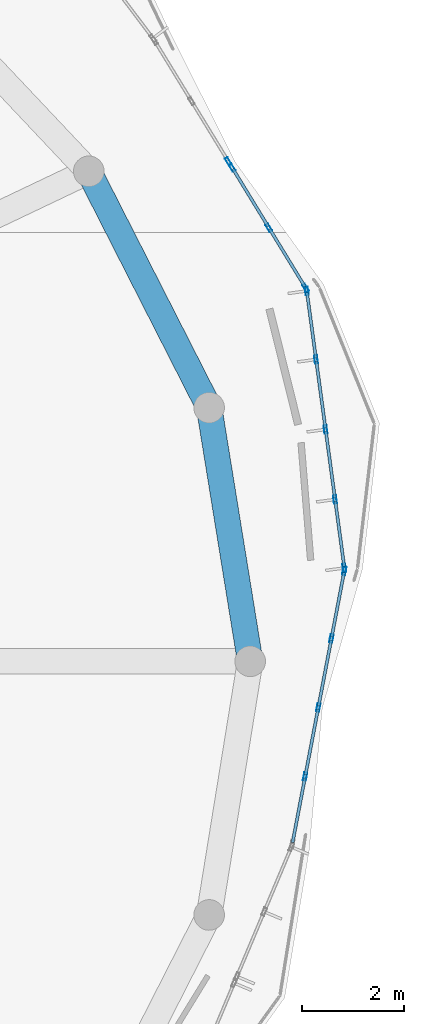
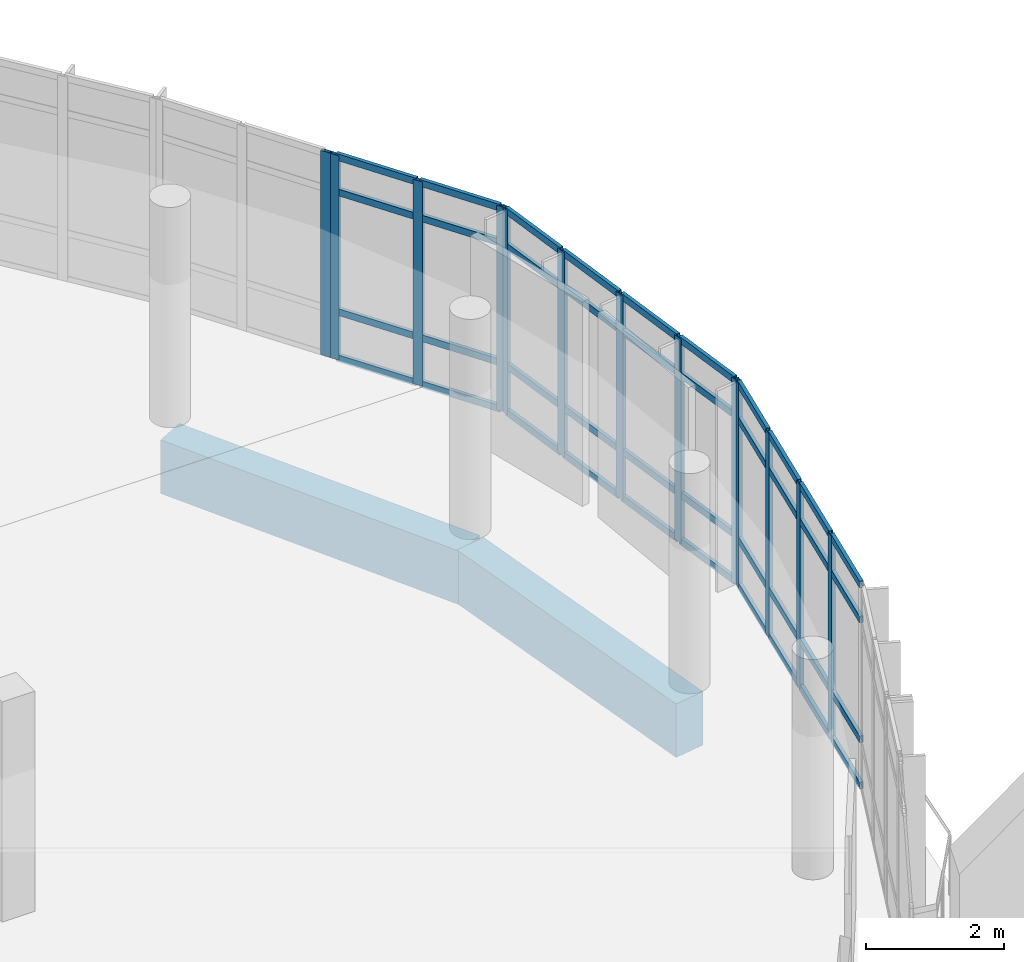
# One storey, part 42 of 74: 53 members, 2 beams, 4 elements without a shape of their own.
"""IFC4 building model written with IfcOpenShell, lengths in metres."""

from ifc_helpers import new_model, si_unit, derived_unit, direction, frame, origin, origin_2d, place, context, subcontext, project, spatial, rectangle, hollow_rectangle, extrude, material, layer, layer_set, material_profile, profile_set, type_object, element, aggregate, save


model = new_model("IFC4")

# Units and contexts
model_context = context("Model", 3, precision=1e-05, world=origin(), true_north=direction((0.0, 1.0)))
body_context = subcontext(model_context, "Body", "Model", "MODEL_VIEW")
ifc_project = project(units=[si_unit("LENGTHUNIT", "METRE"), si_unit("AREAUNIT", "SQUARE_METRE"), si_unit("VOLUMEUNIT", "CUBIC_METRE"), si_unit("PLANEANGLEUNIT", "RADIAN"), si_unit("MASSUNIT", "GRAM", prefix="KILO"), derived_unit("THERMALTRANSMITTANCEUNIT", [(si_unit("POWERUNIT", "WATT"), 1), (si_unit("LENGTHUNIT", "METRE"), -2), (si_unit("THERMODYNAMICTEMPERATUREUNIT", "KELVIN"), -1)])], contexts=[model_context])

# Site, building, storey
site_placement = place(None, origin())
site = spatial("IfcSite", under=ifc_project, at=site_placement, CompositionType="ELEMENT")
building_placement = place(site_placement, origin())
building = spatial("IfcBuilding", under=site, at=building_placement, Name="Elbkamm Science Centre", CompositionType="ELEMENT")
storey_placement = place(building_placement, frame((0.0, 0.0, 14.39990234375)))
storey = spatial("IfcBuildingStorey", under=building, at=storey_placement, Name="L03", CompositionType="ELEMENT", Elevation=14.39990234375)

# Beams
ifc_material_1 = material(Name="Concrete C40/50", Category="concrete")
ifc_material_profile_1 = material_profile(ifc_material_1, rectangle(XDim=0.5, YDim=0.949951171875, at=origin_2d()), Name="RC 500x950")
ifc_profile_set_1 = profile_set([ifc_material_profile_1], Name="Concrete C40/50")
beam_type = type_object("IfcBeamType", Name="BM-RC-500x950", PredefinedType="BEAM", material=ifc_profile_set_1)
beam_1_placement = place(storey_placement, frame((86.60009765625, 67.199951171875, -0.7548828125), z_axis=(-0.15976460627, 0.987155140078, 0.0), x_axis=(-0.987155140078, -0.15976460627, 0.0)))
element("IfcBeam", 1, at=beam_1_placement, inside=storey, type_object=beam_type, Name="L03 Elliptical Shell Perimeter Ring Beam 01", PredefinedType="SPANDREL", context=body_context, shape_type="SweptSolid", body=[
    extrude(rectangle(XDim=0.5, YDim=0.949951171875, at=origin_2d()), origin(), (0.0, 0.0, 1.0), 5.03369140625),
])
beam_2_placement = place(storey_placement, frame((85.7958984375, 72.1689453125, -0.7548828125), z_axis=(-0.453722384609, 0.891143084866, 0.0), x_axis=(-0.891143084866, -0.453722384609, 0.0)))
element("IfcBeam", 2, at=beam_2_placement, inside=storey, type_object=beam_type, Name="L03 Elliptical Shell Perimeter Ring Beam 02", PredefinedType="SPANDREL", context=body_context, shape_type="SweptSolid", body=[
    extrude(rectangle(XDim=0.5, YDim=0.949951171875, at=origin_2d()), origin(), (0.0, 0.0, 1.0), 5.19677734375),
])

# Curtain wall, members
ifc_material_2 = material(Name="Powder-coated aluminium and triple low-E glazing", Category="aluminium")
ifc_layer_1 = layer(ifc_material_2, 0.159912109375)
ifc_layer_set_1 = layer_set([ifc_layer_1], Name="Powder-coated aluminium and triple low-E glazing")
curtain_wall_type_1 = type_object("IfcCurtainWallType", Name="CW-UNIT-5540x3620", PredefinedType="USERDEFINED", material=ifc_layer_set_1)
curtain_wall_1_placement = place(storey_placement, origin())
curtain_wall_1 = element("IfcCurtainWall", 3, at=curtain_wall_1_placement, inside=storey, type_object=curtain_wall_type_1, Name="L03 Unitised Curtain Wall 046", ObjectType="UNITISED CURTAIN WALL", PredefinedType="USERDEFINED")
ifc_material_3 = material(Name="Powder-coated aluminium EN AW-6060", Category="aluminium")
ifc_material_profile_2 = material_profile(ifc_material_3, hollow_rectangle(XDim=0.06005859375, YDim=0.159912109375, WallThickness=0.00390625, at=origin_2d()), Name="ALU M60x160")
ifc_profile_set_2 = profile_set([ifc_material_profile_2], Name="Powder-coated aluminium EN AW-6060")
member_type_1 = type_object("IfcMemberType", Name="CW-MUL-60x160", PredefinedType="MULLION", material=ifc_profile_set_2)
member_1_placement = place(storey_placement, frame((88.446044921875, 69.02978515625, 0.0), z_axis=(0.0, 0.0, 1.0), x_axis=(-0.990903330294, -0.134575592183, 0.0)))
member_1 = element("IfcMember", 4, at=member_1_placement, type_object=member_type_1, Name="CW-020 mullion 1", PredefinedType="MULLION", context=body_context, shape_type="SweptSolid", body=[
    extrude(hollow_rectangle(XDim=0.06005859375, YDim=0.159912109375, WallThickness=0.00390625, at=origin_2d()), origin(), (0.0, 0.0, 1.0), 3.6201171875),
])
member_2_placement = place(storey_placement, frame((88.263671875, 70.37158203125, 0.0), z_axis=(0.0, 0.0, 1.0), x_axis=(-0.990903330294, -0.134575592183, 0.0)))
member_2 = element("IfcMember", 5, at=member_2_placement, type_object=member_type_1, Name="CW-020 mullion 2", PredefinedType="MULLION", context=body_context, shape_type="SweptSolid", body=[
    extrude(hollow_rectangle(XDim=0.06005859375, YDim=0.159912109375, WallThickness=0.00390625, at=origin_2d()), origin(), (0.0, 0.0, 1.0), 3.6201171875),
])
member_3_placement = place(storey_placement, frame((88.077392578125, 71.7431640625, 0.0), z_axis=(0.0, 0.0, 1.0), x_axis=(-0.990903330294, -0.134575592183, 0.0)))
member_3 = element("IfcMember", 6, at=member_3_placement, type_object=member_type_1, Name="CW-020 mullion 3", PredefinedType="MULLION", context=body_context, shape_type="SweptSolid", body=[
    extrude(hollow_rectangle(XDim=0.06005859375, YDim=0.159912109375, WallThickness=0.00390625, at=origin_2d()), origin(), (0.0, 0.0, 1.0), 3.6201171875),
])
member_4_placement = place(storey_placement, frame((87.89111328125, 73.11474609375, 0.0), z_axis=(0.0, 0.0, 1.0), x_axis=(-0.990903330294, -0.134575592183, 0.0)))
member_4 = element("IfcMember", 7, at=member_4_placement, type_object=member_type_1, Name="CW-020 mullion 4", PredefinedType="MULLION", context=body_context, shape_type="SweptSolid", body=[
    extrude(hollow_rectangle(XDim=0.06005859375, YDim=0.159912109375, WallThickness=0.00390625, at=origin_2d()), origin(), (0.0, 0.0, 1.0), 3.6201171875),
])
member_5_placement = place(storey_placement, frame((87.708984375, 74.45654296875, 0.0), z_axis=(0.0, 0.0, 1.0), x_axis=(-0.990903330294, -0.134575592183, 0.0)))
member_5 = element("IfcMember", 8, at=member_5_placement, type_object=member_type_1, Name="CW-020 mullion 5", PredefinedType="MULLION", context=body_context, shape_type="SweptSolid", body=[
    extrude(hollow_rectangle(XDim=0.06005859375, YDim=0.159912109375, WallThickness=0.00390625, at=origin_2d()), origin(), (0.0, 0.0, 1.0), 3.6201171875),
])

ifc_layer_2 = layer(ifc_material_2, 0.159912109375)
ifc_layer_set_2 = layer_set([ifc_layer_2], Name="Powder-coated aluminium and triple low-E glazing")
curtain_wall_type_2 = type_object("IfcCurtainWallType", Name="CW-UNIT-2820x3620", PredefinedType="USERDEFINED", material=ifc_layer_set_2)
curtain_wall_2_placement = place(storey_placement, origin())
curtain_wall_2 = element("IfcCurtainWall", 9, at=curtain_wall_2_placement, inside=storey, type_object=curtain_wall_type_2, Name="L03 Unitised Curtain Wall 047", ObjectType="UNITISED CURTAIN WALL", PredefinedType="USERDEFINED")
member_6_placement = place(storey_placement, frame((87.689208984375, 74.511962890625, 0.0), z_axis=(0.0, 0.0, 1.0), x_axis=(-0.853316783225, -0.521392814935, 0.0)))
member_6 = element("IfcMember", 10, at=member_6_placement, type_object=member_type_1, Name="CW-021 mullion 1", PredefinedType="MULLION", context=body_context, shape_type="SweptSolid", body=[
    extrude(hollow_rectangle(XDim=0.06005859375, YDim=0.159912109375, WallThickness=0.00390625, at=origin_2d()), origin(), (0.0, 0.0, 1.0), 3.6201171875),
])
member_7_placement = place(storey_placement, frame((86.96728515625, 75.693359375, 0.0), z_axis=(0.0, 0.0, 1.0), x_axis=(-0.853316783225, -0.521392814935, 0.0)))
member_7 = element("IfcMember", 11, at=member_7_placement, type_object=member_type_1, Name="CW-021 mullion 2", PredefinedType="MULLION", context=body_context, shape_type="SweptSolid", body=[
    extrude(hollow_rectangle(XDim=0.06005859375, YDim=0.159912109375, WallThickness=0.00390625, at=origin_2d()), origin(), (0.0, 0.0, 1.0), 3.6201171875),
])
member_8_placement = place(storey_placement, frame((86.24560546875, 76.874755859375, 0.0), z_axis=(0.0, 0.0, 1.0), x_axis=(-0.853316783225, -0.521392814935, 0.0)))
member_8 = element("IfcMember", 12, at=member_8_placement, type_object=member_type_1, Name="CW-021 mullion 3", PredefinedType="MULLION", context=body_context, shape_type="SweptSolid", body=[
    extrude(hollow_rectangle(XDim=0.06005859375, YDim=0.159912109375, WallThickness=0.00390625, at=origin_2d()), origin(), (0.0, 0.0, 1.0), 3.6201171875),
])

# Curtain wall, member
curtain_wall_3_placement = place(storey_placement, origin())
curtain_wall_3 = element("IfcCurtainWall", 13, at=curtain_wall_3_placement, inside=storey, type_object=curtain_wall_type_2, Name="L03 Unitised Curtain Wall 048", ObjectType="UNITISED CURTAIN WALL", PredefinedType="USERDEFINED")
member_9_placement = place(storey_placement, frame((86.17236328125, 76.994140625, 0.0), z_axis=(0.0, 0.0, 1.0), x_axis=(-0.853316783225, -0.521392814935, 0.0)))
member_9 = element("IfcMember", 14, at=member_9_placement, type_object=member_type_1, Name="CW-021 mullion 1", PredefinedType="MULLION", context=body_context, shape_type="SweptSolid", body=[
    extrude(hollow_rectangle(XDim=0.06005859375, YDim=0.159912109375, WallThickness=0.00390625, at=origin_2d()), origin(), (0.0, 0.0, 1.0), 3.6201171875),
])
aggregate(curtain_wall_3, [member_9])

# Curtain wall, members
ifc_layer_3 = layer(ifc_material_2, 0.159912109375)
ifc_layer_set_3 = layer_set([ifc_layer_3], Name="Powder-coated aluminium and triple low-E glazing")
curtain_wall_type_3 = type_object("IfcCurtainWallType", Name="CW-UNIT-5500x3620", PredefinedType="USERDEFINED", material=ifc_layer_set_3)
curtain_wall_4_placement = place(storey_placement, origin())
curtain_wall_4 = element("IfcCurtainWall", 15, at=curtain_wall_4_placement, inside=storey, type_object=curtain_wall_type_3, Name="L03 Unitised Curtain Wall 074", ObjectType="UNITISED CURTAIN WALL", PredefinedType="USERDEFINED")
member_10_placement = place(storey_placement, frame((87.677490234375, 64.9423828125, 0.0), z_axis=(0.0, 0.0, 1.0), x_axis=(-0.982351119893, 0.187046190138, 0.0)))
member_10 = element("IfcMember", 16, at=member_10_placement, type_object=member_type_1, Name="CW-031 mullion 2", PredefinedType="MULLION", context=body_context, shape_type="SweptSolid", body=[
    extrude(hollow_rectangle(XDim=0.06005859375, YDim=0.159912109375, WallThickness=0.00390625, at=origin_2d()), origin(), (0.0, 0.0, 1.0), 3.6201171875),
])
member_11_placement = place(storey_placement, frame((87.93505859375, 66.294921875, 0.0), z_axis=(0.0, 0.0, 1.0), x_axis=(-0.982351119893, 0.187046190138, 0.0)))
member_11 = element("IfcMember", 17, at=member_11_placement, type_object=member_type_1, Name="CW-031 mullion 3", PredefinedType="MULLION", context=body_context, shape_type="SweptSolid", body=[
    extrude(hollow_rectangle(XDim=0.06005859375, YDim=0.159912109375, WallThickness=0.00390625, at=origin_2d()), origin(), (0.0, 0.0, 1.0), 3.6201171875),
])
member_12_placement = place(storey_placement, frame((88.1923828125, 67.6474609375, 0.0), z_axis=(0.0, 0.0, 1.0), x_axis=(-0.982351119893, 0.187046190138, 0.0)))
member_12 = element("IfcMember", 18, at=member_12_placement, type_object=member_type_1, Name="CW-031 mullion 4", PredefinedType="MULLION", context=body_context, shape_type="SweptSolid", body=[
    extrude(hollow_rectangle(XDim=0.06005859375, YDim=0.159912109375, WallThickness=0.00390625, at=origin_2d()), origin(), (0.0, 0.0, 1.0), 3.6201171875),
])
member_13_placement = place(storey_placement, frame((88.4443359375, 68.970458984375, 0.0), z_axis=(0.0, 0.0, 1.0), x_axis=(-0.982351119893, 0.187046190138, 0.0)))
member_13 = element("IfcMember", 19, at=member_13_placement, type_object=member_type_1, Name="CW-031 mullion 5", PredefinedType="MULLION", context=body_context, shape_type="SweptSolid", body=[
    extrude(hollow_rectangle(XDim=0.06005859375, YDim=0.159912109375, WallThickness=0.00390625, at=origin_2d()), origin(), (0.0, 0.0, 1.0), 3.6201171875),
])

# Member
ifc_material_profile_3 = material_profile(ifc_material_3, hollow_rectangle(XDim=0.06005859375, YDim=0.1201171875, WallThickness=0.00341796875, at=origin_2d()), Name="ALU T60x120")
ifc_profile_set_3 = profile_set([ifc_material_profile_3], Name="Powder-coated aluminium EN AW-6060")
member_type_2 = type_object("IfcMemberType", Name="CW-TRN-60x120", PredefinedType="USERDEFINED", material=ifc_profile_set_3)
member_14_placement = place(storey_placement, frame((88.44189453125, 69.0595703125, 0.030029296875), z_axis=(-0.134523817036, 0.990910360552, 0.0), x_axis=(-0.990910360552, -0.134523817036, 0.0)))
member_14 = element("IfcMember", 20, at=member_14_placement, type_object=member_type_2, Name="CW-020 transom 1.1", ObjectType="TRANSOM", PredefinedType="USERDEFINED", context=body_context, shape_type="SweptSolid", body=[
    extrude(hollow_rectangle(XDim=0.06005859375, YDim=0.1201171875, WallThickness=0.00341796875, at=origin_2d()), origin(), (0.0, 0.0, 1.0), 1.2939453125),
])

member_15_placement = place(storey_placement, frame((88.44189453125, 69.0595703125, 0.85009765625), z_axis=(-0.134523817036, 0.990910360552, 0.0), x_axis=(-0.990910360552, -0.134523817036, 0.0)))
member_15 = element("IfcMember", 21, at=member_15_placement, type_object=member_type_2, Name="CW-020 transom 1.2", ObjectType="TRANSOM", PredefinedType="USERDEFINED", context=body_context, shape_type="SweptSolid", body=[
    extrude(hollow_rectangle(XDim=0.06005859375, YDim=0.1201171875, WallThickness=0.00341796875, at=origin_2d()), origin(), (0.0, 0.0, 1.0), 1.2939453125),
])

member_16_placement = place(storey_placement, frame((88.44189453125, 69.0595703125, 2.97021484375), z_axis=(-0.134523817036, 0.990910360552, 0.0), x_axis=(-0.990910360552, -0.134523817036, 0.0)))
member_16 = element("IfcMember", 22, at=member_16_placement, type_object=member_type_2, Name="CW-020 transom 1.3", ObjectType="TRANSOM", PredefinedType="USERDEFINED", context=body_context, shape_type="SweptSolid", body=[
    extrude(hollow_rectangle(XDim=0.06005859375, YDim=0.1201171875, WallThickness=0.00341796875, at=origin_2d()), origin(), (0.0, 0.0, 1.0), 1.2939453125),
])

member_17_placement = place(storey_placement, frame((88.44189453125, 69.0595703125, 3.590087890625), z_axis=(-0.134523817036, 0.990910360552, 0.0), x_axis=(-0.990910360552, -0.134523817036, 0.0)))
member_17 = element("IfcMember", 23, at=member_17_placement, type_object=member_type_2, Name="CW-020 transom 1.4", ObjectType="TRANSOM", PredefinedType="USERDEFINED", context=body_context, shape_type="SweptSolid", body=[
    extrude(hollow_rectangle(XDim=0.06005859375, YDim=0.1201171875, WallThickness=0.00341796875, at=origin_2d()), origin(), (0.0, 0.0, 1.0), 1.2939453125),
])

member_18_placement = place(storey_placement, frame((88.259765625, 70.4013671875, 0.030029296875), z_axis=(-0.134603035001, 0.99089960287, 0.0), x_axis=(-0.99089960287, -0.134603035001, 0.0)))
member_18 = element("IfcMember", 24, at=member_18_placement, type_object=member_type_2, Name="CW-020 transom 2.1", ObjectType="TRANSOM", PredefinedType="USERDEFINED", context=body_context, shape_type="SweptSolid", body=[
    extrude(hollow_rectangle(XDim=0.06005859375, YDim=0.1201171875, WallThickness=0.00341796875, at=origin_2d()), origin(), (0.0, 0.0, 1.0), 1.323974609375),
])

member_19_placement = place(storey_placement, frame((88.259765625, 70.4013671875, 0.85009765625), z_axis=(-0.134603035001, 0.99089960287, 0.0), x_axis=(-0.99089960287, -0.134603035001, 0.0)))
member_19 = element("IfcMember", 25, at=member_19_placement, type_object=member_type_2, Name="CW-020 transom 2.2", ObjectType="TRANSOM", PredefinedType="USERDEFINED", context=body_context, shape_type="SweptSolid", body=[
    extrude(hollow_rectangle(XDim=0.06005859375, YDim=0.1201171875, WallThickness=0.00341796875, at=origin_2d()), origin(), (0.0, 0.0, 1.0), 1.323974609375),
])

member_20_placement = place(storey_placement, frame((88.259765625, 70.4013671875, 2.97021484375), z_axis=(-0.134603035001, 0.99089960287, 0.0), x_axis=(-0.99089960287, -0.134603035001, 0.0)))
member_20 = element("IfcMember", 26, at=member_20_placement, type_object=member_type_2, Name="CW-020 transom 2.3", ObjectType="TRANSOM", PredefinedType="USERDEFINED", context=body_context, shape_type="SweptSolid", body=[
    extrude(hollow_rectangle(XDim=0.06005859375, YDim=0.1201171875, WallThickness=0.00341796875, at=origin_2d()), origin(), (0.0, 0.0, 1.0), 1.323974609375),
])

member_21_placement = place(storey_placement, frame((88.259765625, 70.4013671875, 3.590087890625), z_axis=(-0.134603035001, 0.99089960287, 0.0), x_axis=(-0.99089960287, -0.134603035001, 0.0)))
member_21 = element("IfcMember", 27, at=member_21_placement, type_object=member_type_2, Name="CW-020 transom 2.4", ObjectType="TRANSOM", PredefinedType="USERDEFINED", context=body_context, shape_type="SweptSolid", body=[
    extrude(hollow_rectangle(XDim=0.06005859375, YDim=0.1201171875, WallThickness=0.00341796875, at=origin_2d()), origin(), (0.0, 0.0, 1.0), 1.323974609375),
])

member_22_placement = place(storey_placement, frame((88.073486328125, 71.77294921875, 0.030029296875), z_axis=(-0.134603035001, 0.99089960287, 0.0), x_axis=(-0.99089960287, -0.134603035001, 0.0)))
member_22 = element("IfcMember", 28, at=member_22_placement, type_object=member_type_2, Name="CW-020 transom 3.1", ObjectType="TRANSOM", PredefinedType="USERDEFINED", context=body_context, shape_type="SweptSolid", body=[
    extrude(hollow_rectangle(XDim=0.06005859375, YDim=0.1201171875, WallThickness=0.00341796875, at=origin_2d()), origin(), (0.0, 0.0, 1.0), 1.323974609375),
])

member_23_placement = place(storey_placement, frame((88.073486328125, 71.77294921875, 0.85009765625), z_axis=(-0.134603035001, 0.99089960287, 0.0), x_axis=(-0.99089960287, -0.134603035001, 0.0)))
member_23 = element("IfcMember", 29, at=member_23_placement, type_object=member_type_2, Name="CW-020 transom 3.2", ObjectType="TRANSOM", PredefinedType="USERDEFINED", context=body_context, shape_type="SweptSolid", body=[
    extrude(hollow_rectangle(XDim=0.06005859375, YDim=0.1201171875, WallThickness=0.00341796875, at=origin_2d()), origin(), (0.0, 0.0, 1.0), 1.323974609375),
])

member_24_placement = place(storey_placement, frame((88.073486328125, 71.77294921875, 2.97021484375), z_axis=(-0.134603035001, 0.99089960287, 0.0), x_axis=(-0.99089960287, -0.134603035001, 0.0)))
member_24 = element("IfcMember", 30, at=member_24_placement, type_object=member_type_2, Name="CW-020 transom 3.3", ObjectType="TRANSOM", PredefinedType="USERDEFINED", context=body_context, shape_type="SweptSolid", body=[
    extrude(hollow_rectangle(XDim=0.06005859375, YDim=0.1201171875, WallThickness=0.00341796875, at=origin_2d()), origin(), (0.0, 0.0, 1.0), 1.323974609375),
])

member_25_placement = place(storey_placement, frame((88.073486328125, 71.77294921875, 3.590087890625), z_axis=(-0.134603035001, 0.99089960287, 0.0), x_axis=(-0.99089960287, -0.134603035001, 0.0)))
member_25 = element("IfcMember", 31, at=member_25_placement, type_object=member_type_2, Name="CW-020 transom 3.4", ObjectType="TRANSOM", PredefinedType="USERDEFINED", context=body_context, shape_type="SweptSolid", body=[
    extrude(hollow_rectangle(XDim=0.06005859375, YDim=0.1201171875, WallThickness=0.00341796875, at=origin_2d()), origin(), (0.0, 0.0, 1.0), 1.323974609375),
])

member_26_placement = place(storey_placement, frame((87.88720703125, 73.14453125, 0.030029296875), z_axis=(-0.134709068585, 0.990885193572, 0.0), x_axis=(-0.990885193572, -0.134709068585, 0.0)))
member_26 = element("IfcMember", 32, at=member_26_placement, type_object=member_type_2, Name="CW-020 transom 4.1", ObjectType="TRANSOM", PredefinedType="USERDEFINED", context=body_context, shape_type="SweptSolid", body=[
    extrude(hollow_rectangle(XDim=0.06005859375, YDim=0.1201171875, WallThickness=0.00341796875, at=origin_2d()), origin(), (0.0, 0.0, 1.0), 1.2939453125),
])

member_27_placement = place(storey_placement, frame((87.88720703125, 73.14453125, 0.85009765625), z_axis=(-0.134709068585, 0.990885193572, 0.0), x_axis=(-0.990885193572, -0.134709068585, 0.0)))
member_27 = element("IfcMember", 33, at=member_27_placement, type_object=member_type_2, Name="CW-020 transom 4.2", ObjectType="TRANSOM", PredefinedType="USERDEFINED", context=body_context, shape_type="SweptSolid", body=[
    extrude(hollow_rectangle(XDim=0.06005859375, YDim=0.1201171875, WallThickness=0.00341796875, at=origin_2d()), origin(), (0.0, 0.0, 1.0), 1.2939453125),
])

member_28_placement = place(storey_placement, frame((87.88720703125, 73.14453125, 2.97021484375), z_axis=(-0.134709068585, 0.990885193572, 0.0), x_axis=(-0.990885193572, -0.134709068585, 0.0)))
member_28 = element("IfcMember", 34, at=member_28_placement, type_object=member_type_2, Name="CW-020 transom 4.3", ObjectType="TRANSOM", PredefinedType="USERDEFINED", context=body_context, shape_type="SweptSolid", body=[
    extrude(hollow_rectangle(XDim=0.06005859375, YDim=0.1201171875, WallThickness=0.00341796875, at=origin_2d()), origin(), (0.0, 0.0, 1.0), 1.2939453125),
])

member_29_placement = place(storey_placement, frame((87.88720703125, 73.14453125, 3.590087890625), z_axis=(-0.134709068585, 0.990885193572, 0.0), x_axis=(-0.990885193572, -0.134709068585, 0.0)))
member_29 = element("IfcMember", 35, at=member_29_placement, type_object=member_type_2, Name="CW-020 transom 4.4", ObjectType="TRANSOM", PredefinedType="USERDEFINED", context=body_context, shape_type="SweptSolid", body=[
    extrude(hollow_rectangle(XDim=0.06005859375, YDim=0.1201171875, WallThickness=0.00341796875, at=origin_2d()), origin(), (0.0, 0.0, 1.0), 1.2939453125),
])

aggregate(curtain_wall_1, [member_1, member_2, member_3, member_4, member_5, member_14, member_15, member_16, member_17, member_18, member_19, member_20, member_21, member_22, member_23, member_24, member_25, member_26, member_27, member_28, member_29])

member_30_placement = place(storey_placement, frame((87.673583984375, 74.53759765625, 0.030029296875), z_axis=(-0.521338152947, 0.853350180337, 0.0), x_axis=(-0.853350180337, -0.521338152947, 0.0)))
member_30 = element("IfcMember", 36, at=member_30_placement, type_object=member_type_2, Name="CW-021 transom 1.1", ObjectType="TRANSOM", PredefinedType="USERDEFINED", context=body_context, shape_type="SweptSolid", body=[
    extrude(hollow_rectangle(XDim=0.06005859375, YDim=0.1201171875, WallThickness=0.00341796875, at=origin_2d()), origin(), (0.0, 0.0, 1.0), 1.324462890625),
])

member_31_placement = place(storey_placement, frame((87.673583984375, 74.53759765625, 0.85009765625), z_axis=(-0.521338152947, 0.853350180337, 0.0), x_axis=(-0.853350180337, -0.521338152947, 0.0)))
member_31 = element("IfcMember", 37, at=member_31_placement, type_object=member_type_2, Name="CW-021 transom 1.2", ObjectType="TRANSOM", PredefinedType="USERDEFINED", context=body_context, shape_type="SweptSolid", body=[
    extrude(hollow_rectangle(XDim=0.06005859375, YDim=0.1201171875, WallThickness=0.00341796875, at=origin_2d()), origin(), (0.0, 0.0, 1.0), 1.324462890625),
])

member_32_placement = place(storey_placement, frame((87.673583984375, 74.53759765625, 2.97021484375), z_axis=(-0.521338152947, 0.853350180337, 0.0), x_axis=(-0.853350180337, -0.521338152947, 0.0)))
member_32 = element("IfcMember", 38, at=member_32_placement, type_object=member_type_2, Name="CW-021 transom 1.3", ObjectType="TRANSOM", PredefinedType="USERDEFINED", context=body_context, shape_type="SweptSolid", body=[
    extrude(hollow_rectangle(XDim=0.06005859375, YDim=0.1201171875, WallThickness=0.00341796875, at=origin_2d()), origin(), (0.0, 0.0, 1.0), 1.324462890625),
])

member_33_placement = place(storey_placement, frame((87.673583984375, 74.53759765625, 3.590087890625), z_axis=(-0.521338152947, 0.853350180337, 0.0), x_axis=(-0.853350180337, -0.521338152947, 0.0)))
member_33 = element("IfcMember", 39, at=member_33_placement, type_object=member_type_2, Name="CW-021 transom 1.4", ObjectType="TRANSOM", PredefinedType="USERDEFINED", context=body_context, shape_type="SweptSolid", body=[
    extrude(hollow_rectangle(XDim=0.06005859375, YDim=0.1201171875, WallThickness=0.00341796875, at=origin_2d()), origin(), (0.0, 0.0, 1.0), 1.324462890625),
])

member_34_placement = place(storey_placement, frame((86.95166015625, 75.718994140625, 0.030029296875), z_axis=(-0.521338152947, 0.853350180337, 0.0), x_axis=(-0.853350180337, -0.521338152947, 0.0)))
member_34 = element("IfcMember", 40, at=member_34_placement, type_object=member_type_2, Name="CW-021 transom 2.1", ObjectType="TRANSOM", PredefinedType="USERDEFINED", context=body_context, shape_type="SweptSolid", body=[
    extrude(hollow_rectangle(XDim=0.06005859375, YDim=0.1201171875, WallThickness=0.00341796875, at=origin_2d()), origin(), (0.0, 0.0, 1.0), 1.324462890625),
])

member_35_placement = place(storey_placement, frame((86.95166015625, 75.718994140625, 0.85009765625), z_axis=(-0.521338152947, 0.853350180337, 0.0), x_axis=(-0.853350180337, -0.521338152947, 0.0)))
member_35 = element("IfcMember", 41, at=member_35_placement, type_object=member_type_2, Name="CW-021 transom 2.2", ObjectType="TRANSOM", PredefinedType="USERDEFINED", context=body_context, shape_type="SweptSolid", body=[
    extrude(hollow_rectangle(XDim=0.06005859375, YDim=0.1201171875, WallThickness=0.00341796875, at=origin_2d()), origin(), (0.0, 0.0, 1.0), 1.324462890625),
])

member_36_placement = place(storey_placement, frame((86.95166015625, 75.718994140625, 2.97021484375), z_axis=(-0.521338152947, 0.853350180337, 0.0), x_axis=(-0.853350180337, -0.521338152947, 0.0)))
member_36 = element("IfcMember", 42, at=member_36_placement, type_object=member_type_2, Name="CW-021 transom 2.3", ObjectType="TRANSOM", PredefinedType="USERDEFINED", context=body_context, shape_type="SweptSolid", body=[
    extrude(hollow_rectangle(XDim=0.06005859375, YDim=0.1201171875, WallThickness=0.00341796875, at=origin_2d()), origin(), (0.0, 0.0, 1.0), 1.324462890625),
])

member_37_placement = place(storey_placement, frame((86.95166015625, 75.718994140625, 3.590087890625), z_axis=(-0.521338152947, 0.853350180337, 0.0), x_axis=(-0.853350180337, -0.521338152947, 0.0)))
member_37 = element("IfcMember", 43, at=member_37_placement, type_object=member_type_2, Name="CW-021 transom 2.4", ObjectType="TRANSOM", PredefinedType="USERDEFINED", context=body_context, shape_type="SweptSolid", body=[
    extrude(hollow_rectangle(XDim=0.06005859375, YDim=0.1201171875, WallThickness=0.00341796875, at=origin_2d()), origin(), (0.0, 0.0, 1.0), 1.324462890625),
])

aggregate(curtain_wall_2, [member_6, member_7, member_8, member_30, member_31, member_32, member_33, member_34, member_35, member_36, member_37])

member_38_placement = place(storey_placement, frame((87.43115234375, 63.64892578125, 0.030029296875), z_axis=(0.187059800855, 0.982348528224, 0.0), x_axis=(-0.982348528224, 0.187059800855, 0.0)))
member_38 = element("IfcMember", 44, at=member_38_placement, type_object=member_type_2, Name="CW-031 transom 1.1", ObjectType="TRANSOM", PredefinedType="USERDEFINED", context=body_context, shape_type="SweptSolid", body=[
    extrude(hollow_rectangle(XDim=0.06005859375, YDim=0.1201171875, WallThickness=0.00341796875, at=origin_2d()), origin(), (0.0, 0.0, 1.0), 1.286865234375),
])

member_39_placement = place(storey_placement, frame((87.43115234375, 63.64892578125, 0.85009765625), z_axis=(0.187059800855, 0.982348528224, 0.0), x_axis=(-0.982348528224, 0.187059800855, 0.0)))
member_39 = element("IfcMember", 45, at=member_39_placement, type_object=member_type_2, Name="CW-031 transom 1.2", ObjectType="TRANSOM", PredefinedType="USERDEFINED", context=body_context, shape_type="SweptSolid", body=[
    extrude(hollow_rectangle(XDim=0.06005859375, YDim=0.1201171875, WallThickness=0.00341796875, at=origin_2d()), origin(), (0.0, 0.0, 1.0), 1.286865234375),
])

member_40_placement = place(storey_placement, frame((87.43115234375, 63.64892578125, 2.97021484375), z_axis=(0.187059800855, 0.982348528224, 0.0), x_axis=(-0.982348528224, 0.187059800855, 0.0)))
member_40 = element("IfcMember", 46, at=member_40_placement, type_object=member_type_2, Name="CW-031 transom 1.3", ObjectType="TRANSOM", PredefinedType="USERDEFINED", context=body_context, shape_type="SweptSolid", body=[
    extrude(hollow_rectangle(XDim=0.06005859375, YDim=0.1201171875, WallThickness=0.00341796875, at=origin_2d()), origin(), (0.0, 0.0, 1.0), 1.286865234375),
])

member_41_placement = place(storey_placement, frame((87.43115234375, 63.64892578125, 3.590087890625), z_axis=(0.187059800855, 0.982348528224, 0.0), x_axis=(-0.982348528224, 0.187059800855, 0.0)))
member_41 = element("IfcMember", 47, at=member_41_placement, type_object=member_type_2, Name="CW-031 transom 1.4", ObjectType="TRANSOM", PredefinedType="USERDEFINED", context=body_context, shape_type="SweptSolid", body=[
    extrude(hollow_rectangle(XDim=0.06005859375, YDim=0.1201171875, WallThickness=0.00341796875, at=origin_2d()), origin(), (0.0, 0.0, 1.0), 1.286865234375),
])

member_42_placement = place(storey_placement, frame((87.68310546875, 64.971923828125, 0.030029296875), z_axis=(0.187052476362, 0.982349922933, 0.0), x_axis=(-0.982349922933, 0.187052476362, 0.0)))
member_42 = element("IfcMember", 48, at=member_42_placement, type_object=member_type_2, Name="CW-031 transom 2.1", ObjectType="TRANSOM", PredefinedType="USERDEFINED", context=body_context, shape_type="SweptSolid", body=[
    extrude(hollow_rectangle(XDim=0.06005859375, YDim=0.1201171875, WallThickness=0.00341796875, at=origin_2d()), origin(), (0.0, 0.0, 1.0), 1.31689453125),
])

member_43_placement = place(storey_placement, frame((87.68310546875, 64.971923828125, 0.85009765625), z_axis=(0.187052476362, 0.982349922933, 0.0), x_axis=(-0.982349922933, 0.187052476362, 0.0)))
member_43 = element("IfcMember", 49, at=member_43_placement, type_object=member_type_2, Name="CW-031 transom 2.2", ObjectType="TRANSOM", PredefinedType="USERDEFINED", context=body_context, shape_type="SweptSolid", body=[
    extrude(hollow_rectangle(XDim=0.06005859375, YDim=0.1201171875, WallThickness=0.00341796875, at=origin_2d()), origin(), (0.0, 0.0, 1.0), 1.31689453125),
])

member_44_placement = place(storey_placement, frame((87.68310546875, 64.971923828125, 2.97021484375), z_axis=(0.187052476362, 0.982349922933, 0.0), x_axis=(-0.982349922933, 0.187052476362, 0.0)))
member_44 = element("IfcMember", 50, at=member_44_placement, type_object=member_type_2, Name="CW-031 transom 2.3", ObjectType="TRANSOM", PredefinedType="USERDEFINED", context=body_context, shape_type="SweptSolid", body=[
    extrude(hollow_rectangle(XDim=0.06005859375, YDim=0.1201171875, WallThickness=0.00341796875, at=origin_2d()), origin(), (0.0, 0.0, 1.0), 1.31689453125),
])

member_45_placement = place(storey_placement, frame((87.68310546875, 64.971923828125, 3.590087890625), z_axis=(0.187052476362, 0.982349922933, 0.0), x_axis=(-0.982349922933, 0.187052476362, 0.0)))
member_45 = element("IfcMember", 51, at=member_45_placement, type_object=member_type_2, Name="CW-031 transom 2.4", ObjectType="TRANSOM", PredefinedType="USERDEFINED", context=body_context, shape_type="SweptSolid", body=[
    extrude(hollow_rectangle(XDim=0.06005859375, YDim=0.1201171875, WallThickness=0.00341796875, at=origin_2d()), origin(), (0.0, 0.0, 1.0), 1.31689453125),
])

member_46_placement = place(storey_placement, frame((87.940673828125, 66.324462890625, 0.030029296875), z_axis=(0.186907609733, 0.982377496395, 0.0), x_axis=(-0.982377496395, 0.186907609733, 0.0)))
member_46 = element("IfcMember", 52, at=member_46_placement, type_object=member_type_2, Name="CW-031 transom 3.1", ObjectType="TRANSOM", PredefinedType="USERDEFINED", context=body_context, shape_type="SweptSolid", body=[
    extrude(hollow_rectangle(XDim=0.06005859375, YDim=0.1201171875, WallThickness=0.00341796875, at=origin_2d()), origin(), (0.0, 0.0, 1.0), 1.316650390625),
])

member_47_placement = place(storey_placement, frame((87.940673828125, 66.324462890625, 0.85009765625), z_axis=(0.186907609733, 0.982377496395, 0.0), x_axis=(-0.982377496395, 0.186907609733, 0.0)))
member_47 = element("IfcMember", 53, at=member_47_placement, type_object=member_type_2, Name="CW-031 transom 3.2", ObjectType="TRANSOM", PredefinedType="USERDEFINED", context=body_context, shape_type="SweptSolid", body=[
    extrude(hollow_rectangle(XDim=0.06005859375, YDim=0.1201171875, WallThickness=0.00341796875, at=origin_2d()), origin(), (0.0, 0.0, 1.0), 1.316650390625),
])

member_48_placement = place(storey_placement, frame((87.940673828125, 66.324462890625, 2.97021484375), z_axis=(0.186907609733, 0.982377496395, 0.0), x_axis=(-0.982377496395, 0.186907609733, 0.0)))
member_48 = element("IfcMember", 54, at=member_48_placement, type_object=member_type_2, Name="CW-031 transom 3.3", ObjectType="TRANSOM", PredefinedType="USERDEFINED", context=body_context, shape_type="SweptSolid", body=[
    extrude(hollow_rectangle(XDim=0.06005859375, YDim=0.1201171875, WallThickness=0.00341796875, at=origin_2d()), origin(), (0.0, 0.0, 1.0), 1.316650390625),
])

member_49_placement = place(storey_placement, frame((87.940673828125, 66.324462890625, 3.590087890625), z_axis=(0.186907609733, 0.982377496395, 0.0), x_axis=(-0.982377496395, 0.186907609733, 0.0)))
member_49 = element("IfcMember", 55, at=member_49_placement, type_object=member_type_2, Name="CW-031 transom 3.4", ObjectType="TRANSOM", PredefinedType="USERDEFINED", context=body_context, shape_type="SweptSolid", body=[
    extrude(hollow_rectangle(XDim=0.06005859375, YDim=0.1201171875, WallThickness=0.00341796875, at=origin_2d()), origin(), (0.0, 0.0, 1.0), 1.316650390625),
])

member_50_placement = place(storey_placement, frame((88.197998046875, 67.677001953125, 0.030029296875), z_axis=(0.187059800855, 0.982348528224, 0.0), x_axis=(-0.982348528224, 0.187059800855, 0.0)))
member_50 = element("IfcMember", 56, at=member_50_placement, type_object=member_type_2, Name="CW-031 transom 4.1", ObjectType="TRANSOM", PredefinedType="USERDEFINED", context=body_context, shape_type="SweptSolid", body=[
    extrude(hollow_rectangle(XDim=0.06005859375, YDim=0.1201171875, WallThickness=0.00341796875, at=origin_2d()), origin(), (0.0, 0.0, 1.0), 1.286865234375),
])

member_51_placement = place(storey_placement, frame((88.197998046875, 67.677001953125, 0.85009765625), z_axis=(0.187059800855, 0.982348528224, 0.0), x_axis=(-0.982348528224, 0.187059800855, 0.0)))
member_51 = element("IfcMember", 57, at=member_51_placement, type_object=member_type_2, Name="CW-031 transom 4.2", ObjectType="TRANSOM", PredefinedType="USERDEFINED", context=body_context, shape_type="SweptSolid", body=[
    extrude(hollow_rectangle(XDim=0.06005859375, YDim=0.1201171875, WallThickness=0.00341796875, at=origin_2d()), origin(), (0.0, 0.0, 1.0), 1.286865234375),
])

member_52_placement = place(storey_placement, frame((88.197998046875, 67.677001953125, 2.97021484375), z_axis=(0.187059800855, 0.982348528224, 0.0), x_axis=(-0.982348528224, 0.187059800855, 0.0)))
member_52 = element("IfcMember", 58, at=member_52_placement, type_object=member_type_2, Name="CW-031 transom 4.3", ObjectType="TRANSOM", PredefinedType="USERDEFINED", context=body_context, shape_type="SweptSolid", body=[
    extrude(hollow_rectangle(XDim=0.06005859375, YDim=0.1201171875, WallThickness=0.00341796875, at=origin_2d()), origin(), (0.0, 0.0, 1.0), 1.286865234375),
])

member_53_placement = place(storey_placement, frame((88.197998046875, 67.677001953125, 3.590087890625), z_axis=(0.187059800855, 0.982348528224, 0.0), x_axis=(-0.982348528224, 0.187059800855, 0.0)))
member_53 = element("IfcMember", 59, at=member_53_placement, type_object=member_type_2, Name="CW-031 transom 4.4", ObjectType="TRANSOM", PredefinedType="USERDEFINED", context=body_context, shape_type="SweptSolid", body=[
    extrude(hollow_rectangle(XDim=0.06005859375, YDim=0.1201171875, WallThickness=0.00341796875, at=origin_2d()), origin(), (0.0, 0.0, 1.0), 1.286865234375),
])

aggregate(curtain_wall_4, [member_10, member_11, member_12, member_13, member_38, member_39, member_40, member_41, member_42, member_43, member_44, member_45, member_46, member_47, member_48, member_49, member_50, member_51, member_52, member_53])

save(model, "model.ifc")
